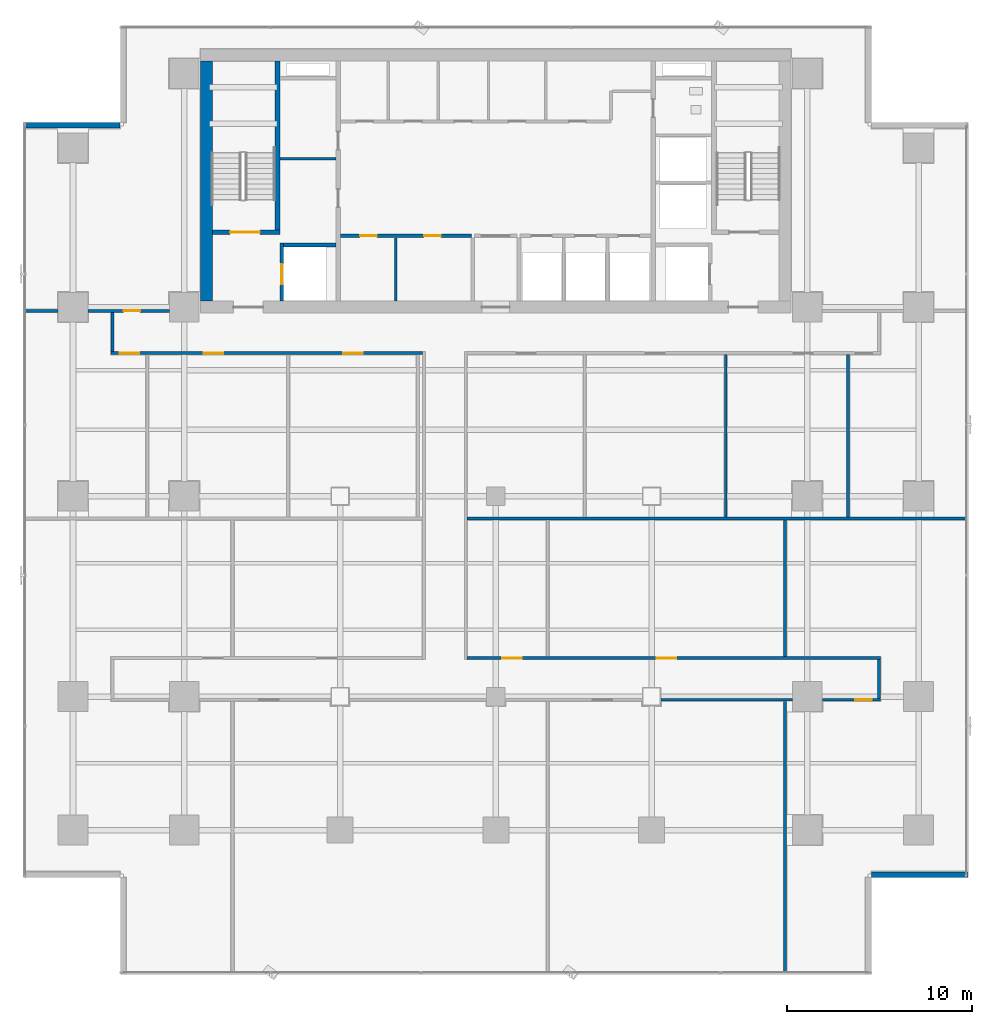
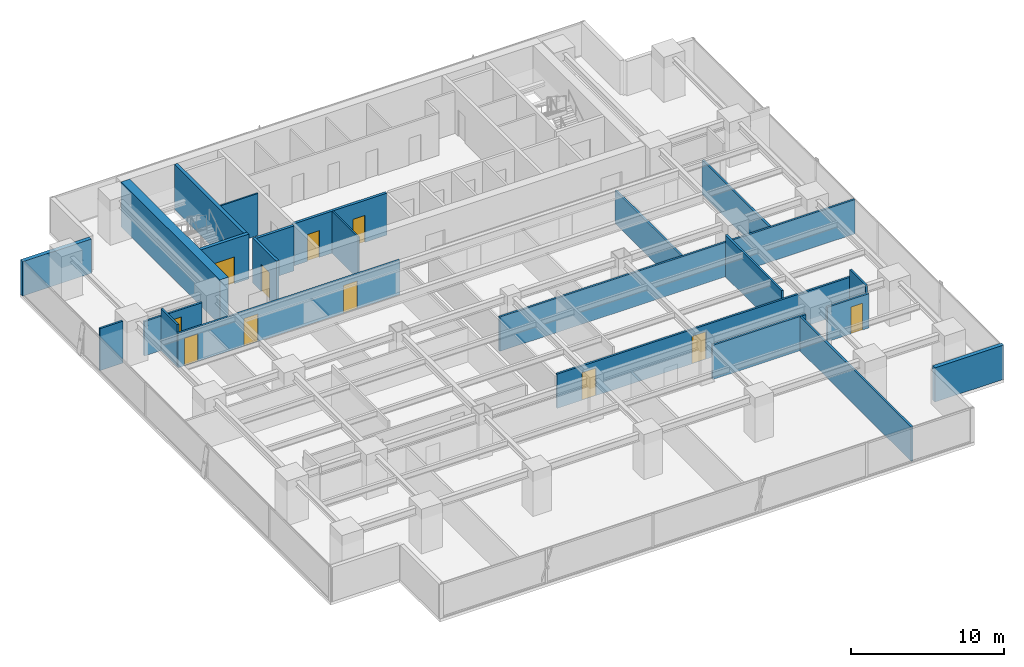
# One storey, part 28 of 36: 23 walls, 11 doors, 11 openings.
"""IFC4 building model written with IfcOpenShell, lengths in metres."""

from ifc_helpers import new_model, si_unit, direction, frame, frame_2d, origin, place, context, subcontext, project, spatial, rectangle, extrude, source, transform, mapped, material, layer, layer_set, type_object, element, fill, save


model = new_model("IFC4")

# Units and contexts
model_context = context("Model", 3, precision=1e-05, world=origin(), true_north=direction((0.0, 1.0)))
body_context = subcontext(model_context, "Body", "Model", "MODEL_VIEW")
ifc_project = project(units=[si_unit("LENGTHUNIT", "METRE"), si_unit("AREAUNIT", "SQUARE_METRE"), si_unit("VOLUMEUNIT", "CUBIC_METRE"), si_unit("PLANEANGLEUNIT", "RADIAN"), si_unit("MASSUNIT", "GRAM", prefix="KILO")], contexts=[model_context])

# Site, building, storey
site_placement = place(None, origin())
site = spatial("IfcSite", under=ifc_project, at=site_placement, CompositionType="ELEMENT")
building_placement = place(site_placement, origin())
building = spatial("IfcBuilding", under=site, at=building_placement, Name="Sumidabori Civic Tower", CompositionType="ELEMENT")
storey_placement = place(building_placement, frame((0.0, 0.0, 92.0)))
storey = spatial("IfcBuildingStorey", under=building, at=storey_placement, Name="L23", CompositionType="ELEMENT", Elevation=92.0)

# Walls
ifc_material_1 = material(Name="Concrete C50/60", Category="concrete")
ifc_layer_1 = layer(ifc_material_1, 0.199951171875, Name="Concrete C50/60")
ifc_layer_set_1 = layer_set([ifc_layer_1], Name="Concrete C50/60")
wall_type_1 = type_object("IfcWallType", Name="WL-SHAFT-200", PredefinedType="SHEAR", material=ifc_layer_set_1)
shared_shape_1 = source(origin(), body_context, "Body", "SweptSolid", [
    extrude(rectangle(XDim=2.824951171875, YDim=0.199951171875, at=frame_2d((1.41259765625, 0.0))), origin(), (0.0, 0.0, 1.0), 3.60009765625),
])
wall_1_placement = place(storey_placement, frame((-11.449951171875, 13.550048828125, 0.0), z_axis=(0.0, 0.0, 1.0), x_axis=(1.0, 0.0, 0.0)))
element("IfcWall", 1, at=wall_1_placement, inside=storey, type_object=wall_type_1, Name="Core Shear Wall L23 EL1-N", PredefinedType="SHEAR", context=body_context, shape_type="MappedRepresentation", body=[
    mapped(shared_shape_1, transform((0.0, 0.0, 0.0), x_axis=(1.0, 0.0, 0.0), y_axis=(0.0, 1.0, 0.0), z_axis=(0.0, 0.0, 1.0), scale=1.0)),
])
ifc_material_2 = material(Name="Concrete C60/75", Category="concrete")
ifc_layer_2 = layer(ifc_material_2, 0.64990234375, Name="Concrete C60/75")
ifc_layer_set_2 = layer_set([ifc_layer_2], Name="Concrete C60/75")
wall_type_2 = type_object("IfcWallType", Name="WL-CORE-650", PredefinedType="SHEAR", material=ifc_layer_set_2)
shared_shape_2 = source(origin(), body_context, "Body", "SweptSolid", [
    extrude(rectangle(XDim=12.9501953125, YDim=0.64990234375, at=frame_2d((6.47509765625, 0.0))), origin(), (0.0, 0.0, 1.0), 3.60009765625),
])
wall_2_placement = place(storey_placement, frame((-15.60009765625, 10.52490234375, 0.0), z_axis=(0.0, 0.0, 1.0), x_axis=(0.0, 1.0, 0.0)))
element("IfcWall", 2, at=wall_2_placement, inside=storey, type_object=wall_type_2, Name="Core Shear Wall L23 W", PredefinedType="SHEAR", context=body_context, shape_type="MappedRepresentation", body=[
    mapped(shared_shape_2, transform((0.0, 0.0, 0.0), x_axis=(1.0, 0.0, 0.0), y_axis=(0.0, 1.0, 0.0), z_axis=(0.0, 0.0, 1.0), scale=1.0)),
])

# Wall, opening, door
ifc_layer_3 = layer(ifc_material_1, 0.25, Name="Concrete C50/60")
ifc_layer_set_3 = layer_set([ifc_layer_3], Name="Concrete C50/60")
wall_type_3 = type_object("IfcWallType", Name="WL-SHAFT-250", PredefinedType="SHEAR", material=ifc_layer_set_3)
shared_shape_3 = source(origin(), body_context, "Body", "SweptSolid", [
    extrude(rectangle(XDim=3.6298828125, YDim=0.25, at=frame_2d((1.81494140625, 0.0))), origin(), (0.0, 0.0, 1.0), 3.60009765625),
])
wall_3_placement = place(storey_placement, frame((-15.27490234375, 14.25, 0.0), z_axis=(0.0, 0.0, 1.0), x_axis=(1.0, 0.0, 0.0)))
wall_3 = element("IfcWall", 3, at=wall_3_placement, inside=storey, type_object=wall_type_3, Name="Core Shear Wall L23 ST1-S", PredefinedType="SHEAR", context=body_context, shape_type="MappedRepresentation", body=[
    mapped(shared_shape_3, transform((0.0, 0.0, 0.0), x_axis=(1.0, 0.0, 0.0), y_axis=(0.0, 1.0, 0.0), z_axis=(0.0, 0.0, 1.0), scale=1.0)),
])
opening_1_placement = place(wall_3_placement, frame((0.949951171875, 0.0, 0.0)))
opening_1 = element("IfcOpeningElement", 4, at=opening_1_placement, cuts=wall_3, Name="Opening DR-FD4", PredefinedType="OPENING", context=body_context, shape_type="SweptSolid", body=[
    extrude(rectangle(XDim=1.60009765625, YDim=2.14990234375, at=frame_2d((0.800048828125, 1.074951171875))), frame((0.0, 0.136962890625, 0.0), z_axis=(0.0, -1.0, 0.0), x_axis=(1.0, 0.0, 0.0)), (0.0, 0.0, 1.0), 0.27392578125),
])
ifc_material_3 = material(Name="Steel SN490", Category="steel")
door_type_1 = type_object("IfcDoorType", Name="DR-FD4", OperationType="DOUBLE_DOOR_SINGLE_SWING", PredefinedType="DOOR", material=ifc_material_3)
shared_shape_4 = source(origin(), body_context, "Body", "SweptSolid", [
    extrude(rectangle(XDim=1.60009765625, YDim=2.14990234375, at=frame_2d((0.800048828125, 1.074951171875))), frame((0.0, 0.02490234375, 0.0), z_axis=(0.0, -1.0, 0.0), x_axis=(1.0, 0.0, 0.0)), (0.0, 0.0, 1.0), 0.050048828125),
])
door_1_placement = place(opening_1_placement, origin())
door_1 = element("IfcDoor", 5, at=door_1_placement, inside=storey, type_object=door_type_1, Name="Door DR:L23:ST1", OperationType="DOUBLE_DOOR_SINGLE_SWING", OverallHeight=2.14990234375, OverallWidth=1.60009765625, PredefinedType="DOOR", context=body_context, shape_type="MappedRepresentation", body=[
    mapped(shared_shape_4, transform((0.0, 0.0, 0.0), x_axis=(1.0, 0.0, 0.0), y_axis=(0.0, 1.0, 0.0), z_axis=(0.0, 0.0, 1.0), scale=1.0)),
])
fill(opening_1, door_1)

# Wall
shared_shape_5 = source(origin(), body_context, "Body", "SweptSolid", [
    extrude(rectangle(XDim=9.10009765625, YDim=0.25, at=frame_2d((4.550048828125, 0.0))), origin(), (0.0, 0.0, 1.0), 3.60009765625),
])
wall_4_placement = place(storey_placement, frame((-11.77001953125, 14.375, 0.0), z_axis=(0.0, 0.0, 1.0), x_axis=(0.0, 1.0, 0.0)))
element("IfcWall", 6, at=wall_4_placement, inside=storey, type_object=wall_type_3, Name="Core Shear Wall L23 ST1-E", PredefinedType="SHEAR", context=body_context, shape_type="MappedRepresentation", body=[
    mapped(shared_shape_5, transform((0.0, 0.0, 0.0), x_axis=(1.0, 0.0, 0.0), y_axis=(0.0, 1.0, 0.0), z_axis=(0.0, 0.0, 1.0), scale=1.0)),
])

# Wall, opening, door
shared_shape_6 = source(origin(), body_context, "Body", "SweptSolid", [
    extrude(rectangle(XDim=3.125, YDim=0.199951171875, at=frame_2d((1.5625, 0.0))), origin(), (0.0, 0.0, 1.0), 3.60009765625),
])
wall_5_placement = place(storey_placement, frame((-11.550048828125, 10.52490234375, 0.0), z_axis=(0.0, 0.0, 1.0), x_axis=(0.0, 1.0, 0.0)))
wall_5 = element("IfcWall", 7, at=wall_5_placement, inside=storey, type_object=wall_type_1, Name="Core Shear Wall L23 EL1-W", PredefinedType="SHEAR", context=body_context, shape_type="MappedRepresentation", body=[
    mapped(shared_shape_6, transform((0.0, 0.0, 0.0), x_axis=(1.0, 0.0, 0.0), y_axis=(0.0, 1.0, 0.0), z_axis=(0.0, 0.0, 1.0), scale=1.0)),
])
opening_2_placement = place(wall_5_placement, frame((0.89990234375, 0.0, 0.0)))
opening_2 = element("IfcOpeningElement", 8, at=opening_2_placement, cuts=wall_5, Name="Opening LD-2", PredefinedType="OPENING", context=body_context, shape_type="SweptSolid", body=[
    extrude(rectangle(XDim=1.10009765625, YDim=2.14990234375, at=frame_2d((0.550048828125, 1.074951171875))), frame((0.0, 0.11181640625, 0.0), z_axis=(0.0, -1.0, 0.0), x_axis=(1.0, 0.0, 0.0)), (0.0, 0.0, 1.0), 0.223876953125),
])
ifc_material_4 = material(Name="Stainless Steel Hairline Finish", Category="steel")
door_type_2 = type_object("IfcDoorType", Name="DR-LD2", OperationType="DOUBLE_DOOR_SLIDING", PredefinedType="DOOR", material=ifc_material_4)
shared_shape_7 = source(origin(), body_context, "Body", "SweptSolid", [
    extrude(rectangle(XDim=1.10009765625, YDim=2.14990234375, at=frame_2d((0.550048828125, 1.074951171875))), frame((0.0, 0.02490234375, 0.0), z_axis=(0.0, -1.0, 0.0), x_axis=(1.0, 0.0, 0.0)), (0.0, 0.0, 1.0), 0.050048828125),
])
door_2_placement = place(opening_2_placement, origin())
door_2 = element("IfcDoor", 9, at=door_2_placement, inside=storey, type_object=door_type_2, Name="Door DR:L23:LD-EL1", OperationType="DOUBLE_DOOR_SLIDING", OverallHeight=2.14990234375, OverallWidth=1.10009765625, PredefinedType="DOOR", context=body_context, shape_type="MappedRepresentation", body=[
    mapped(shared_shape_7, transform((0.0, 0.0, 0.0), x_axis=(1.0, 0.0, 0.0), y_axis=(0.0, 1.0, 0.0), z_axis=(0.0, 0.0, 1.0), scale=1.0)),
])
fill(opening_2, door_2)

# Walls
ifc_material_5 = material(Name="Precast concrete C40/50", Category="concrete")
ifc_layer_4 = layer(ifc_material_5, 0.300048828125, Name="Precast concrete C40/50")
ifc_layer_set_4 = layer_set([ifc_layer_4], Name="Precast concrete C40/50")
wall_type_4 = type_object("IfcWallType", Name="WL-EXT-POD300", PredefinedType="STANDARD", material=ifc_layer_set_4)
shared_shape_8 = source(origin(), body_context, "Body", "SweptSolid", [
    extrude(rectangle(XDim=5.2099609375, YDim=0.300048828125, at=frame_2d((2.60498046875, 0.0))), origin(), (0.0, 0.0, 1.0), 2.739990234375),
])
for number, where, z_axis, x_axis, name in (
    (10, (20.27001953125, -20.39990234375, 0.0), (0.0, 0.0, 1.0), (1.0, 0.0, 0.0), "Notched Corner Spandrel Band L23-03"),
    (11, (-20.27001953125, 20.0, 0.0), (0.0, 0.0, 1.0), (-1.0, 0.0, 0.0), "Notched Corner Spandrel Band L23-09"),
):
    element("IfcWall", number, at=place(storey_placement, frame(where, z_axis=z_axis, x_axis=x_axis)), inside=storey, type_object=wall_type_4, Name=name, PredefinedType="STANDARD", context=body_context, shape_type="MappedRepresentation", body=[
        mapped(shared_shape_8, transform((0.0, 0.0, 0.0), x_axis=(1.0, 0.0, 0.0), y_axis=(0.0, 1.0, 0.0), z_axis=(0.0, 0.0, 1.0), scale=1.0)),
    ])

# Wall, openings, doors
ifc_material_6 = material(Name="Gypsum Plasterboard Fire Partition")
ifc_layer_5 = layer(ifc_material_6, 0.199951171875, Name="Gypsum Plasterboard Fire Partition")
ifc_layer_set_5 = layer_set([ifc_layer_5], Name="Gypsum Plasterboard Fire Partition")
wall_type_5 = type_object("IfcWallType", Name="WL-PART-FIRE", PredefinedType="PARTITIONING", material=ifc_layer_set_5)
shared_shape_9 = source(origin(), body_context, "Body", "SweptSolid", [
    extrude(rectangle(XDim=7.070068359375, YDim=0.199951171875, at=frame_2d((3.53515625, 0.0))), origin(), (0.0, 0.0, 1.0), 3.360107421875),
])
wall_6_placement = place(storey_placement, frame((-8.3701171875, 14.050048828125, 0.0), z_axis=(0.0, 0.0, 1.0), x_axis=(1.0, 0.0, 0.0)))
wall_6 = element("IfcWall", 12, at=wall_6_placement, inside=storey, type_object=wall_type_5, Name="Interior Partition WL:L23:CBAND-SW", PredefinedType="PARTITIONING", context=body_context, shape_type="MappedRepresentation", body=[
    mapped(shared_shape_9, transform((0.0, 0.0, 0.0), x_axis=(1.0, 0.0, 0.0), y_axis=(0.0, 1.0, 0.0), z_axis=(0.0, 0.0, 1.0), scale=1.0)),
])
opening_3_placement = place(wall_6_placement, frame((1.06005859375, 0.0, 0.0)))
opening_3 = element("IfcOpeningElement", 13, at=opening_3_placement, cuts=wall_6, Name="Opening DR-1", PredefinedType="OPENING", context=body_context, shape_type="SweptSolid", body=[
    extrude(rectangle(XDim=0.89990234375, YDim=2.14990234375, at=frame_2d((0.449951171875, 1.074951171875))), frame((0.0, 0.11181640625, 0.0), z_axis=(0.0, -1.0, 0.0), x_axis=(1.0, 0.0, 0.0)), (0.0, 0.0, 1.0), 0.223876953125),
])
opening_4_placement = place(wall_6_placement, frame((4.510009765625, 0.0, 0.0)))
opening_4 = element("IfcOpeningElement", 14, at=opening_4_placement, cuts=wall_6, Name="Opening DR-1", PredefinedType="OPENING", context=body_context, shape_type="SweptSolid", body=[
    extrude(rectangle(XDim=0.89990234375, YDim=2.14990234375, at=frame_2d((0.449951171875, 1.074951171875))), frame((0.0, 0.11181640625, 0.0), z_axis=(0.0, -1.0, 0.0), x_axis=(1.0, 0.0, 0.0)), (0.0, 0.0, 1.0), 0.223876953125),
])
ifc_material_7 = material(Name="Japanese Hinoki Timber", Category="wood")
door_type_3 = type_object("IfcDoorType", Name="DR-INT-900", OperationType="NOTDEFINED", PredefinedType="DOOR", material=ifc_material_7)
shared_shape_10 = source(origin(), body_context, "Body", "SweptSolid", [
    extrude(rectangle(XDim=0.89990234375, YDim=2.14990234375, at=frame_2d((0.449951171875, 1.074951171875))), frame((0.0, 0.02490234375, 0.0), z_axis=(0.0, -1.0, 0.0), x_axis=(1.0, 0.0, 0.0)), (0.0, 0.0, 1.0), 0.050048828125),
])
door_3_placement = place(opening_3_placement, origin())
door_3 = element("IfcDoor", 15, at=door_3_placement, inside=storey, type_object=door_type_3, Name="Door DR:L23:REC-B1A", OperationType="SINGLE_SWING_LEFT", OverallHeight=2.14990234375, OverallWidth=0.89990234375, PredefinedType="DOOR", context=body_context, shape_type="MappedRepresentation", body=[
    mapped(shared_shape_10, transform((0.0, 0.0, 0.0), x_axis=(1.0, 0.0, 0.0), y_axis=(0.0, 1.0, 0.0), z_axis=(0.0, 0.0, 1.0), scale=1.0)),
])
fill(opening_3, door_3)
door_4_placement = place(opening_4_placement, origin())
door_4 = element("IfcDoor", 16, at=door_4_placement, inside=storey, type_object=door_type_3, Name="Door DR:L23:REC-B1B", OperationType="SINGLE_SWING_RIGHT", OverallHeight=2.14990234375, OverallWidth=0.89990234375, PredefinedType="DOOR", context=body_context, shape_type="MappedRepresentation", body=[
    mapped(shared_shape_10, transform((0.0, 0.0, 0.0), x_axis=(1.0, 0.0, 0.0), y_axis=(0.0, 1.0, 0.0), z_axis=(0.0, 0.0, 1.0), scale=1.0)),
])
fill(opening_4, door_4)

# Walls
ifc_material_8 = material(Name="Gypsum Plasterboard Acoustic Partition")
ifc_layer_6 = layer(ifc_material_8, 0.1201171875, Name="Gypsum Plasterboard Acoustic Partition")
ifc_layer_set_6 = layer_set([ifc_layer_6], Name="Gypsum Plasterboard Acoustic Partition")
wall_type_6 = type_object("IfcWallType", Name="WL-PART-120", PredefinedType="PARTITIONING", material=ifc_layer_set_6)
shared_shape_11 = source(origin(), body_context, "Body", "SweptSolid", [
    extrude(rectangle(XDim=3.010009765625, YDim=0.1201171875, at=frame_2d((1.5048828125, 0.0))), origin(), (0.0, 0.0, 1.0), 3.360107421875),
])
wall_7_placement = place(storey_placement, frame((-11.639892578125, 18.199951171875, 0.0), z_axis=(0.0, 0.0, 1.0), x_axis=(1.0, 0.0, 0.0)))
element("IfcWall", 17, at=wall_7_placement, inside=storey, type_object=wall_type_6, Name="Interior Partition WL:L23:CW-MID", PredefinedType="PARTITIONING", context=body_context, shape_type="MappedRepresentation", body=[
    mapped(shared_shape_11, transform((0.0, 0.0, 0.0), x_axis=(1.0, 0.0, 0.0), y_axis=(0.0, 1.0, 0.0), z_axis=(0.0, 0.0, 1.0), scale=1.0)),
])
shared_shape_12 = source(origin(), body_context, "Body", "SweptSolid", [
    extrude(rectangle(XDim=3.4150390625, YDim=0.1201171875, at=frame_2d((1.70751953125, 0.0))), origin(), (0.0, 0.0, 1.0), 3.360107421875),
])
wall_8_placement = place(storey_placement, frame((-5.39990234375, 10.52490234375, 0.0), z_axis=(0.0, 0.0, 1.0), x_axis=(0.0, 1.0, 0.0)))
element("IfcWall", 18, at=wall_8_placement, inside=storey, type_object=wall_type_6, Name="Interior Partition WL:L23:REC-B1-SP", PredefinedType="PARTITIONING", context=body_context, shape_type="MappedRepresentation", body=[
    mapped(shared_shape_12, transform((0.0, 0.0, 0.0), x_axis=(1.0, 0.0, 0.0), y_axis=(0.0, 1.0, 0.0), z_axis=(0.0, 0.0, 1.0), scale=1.0)),
])
ifc_layer_7 = layer(ifc_material_8, 0.14990234375, Name="Gypsum Plasterboard Acoustic Partition")
ifc_layer_set_7 = layer_set([ifc_layer_7], Name="Gypsum Plasterboard Acoustic Partition")
wall_type_7 = type_object("IfcWallType", Name="WL-PART-150", PredefinedType="PARTITIONING", material=ifc_layer_set_7)
shared_shape_13 = source(origin(), body_context, "Body", "SweptSolid", [
    extrude(rectangle(XDim=1.739990234375, YDim=0.14990234375, at=frame_2d((0.8701171875, 0.0))), origin(), (0.0, 0.0, 1.0), 3.360107421875),
])
wall_9_placement = place(storey_placement, frame((-25.35009765625, 10.0, 0.0), z_axis=(0.0, 0.0, 1.0), x_axis=(1.0, 0.0, 0.0)))
element("IfcWall", 19, at=wall_9_placement, inside=storey, type_object=wall_type_7, Name="Interior Partition WL:L23:FLK-NW-1", PredefinedType="PARTITIONING", context=body_context, shape_type="MappedRepresentation", body=[
    mapped(shared_shape_13, transform((0.0, 0.0, 0.0), x_axis=(1.0, 0.0, 0.0), y_axis=(0.0, 1.0, 0.0), z_axis=(0.0, 0.0, 1.0), scale=1.0)),
])

# Wall, opening, door
shared_shape_14 = source(origin(), body_context, "Body", "SweptSolid", [
    extrude(rectangle(XDim=4.3798828125, YDim=0.14990234375, at=frame_2d((2.18994140625, 0.0))), origin(), (0.0, 0.0, 1.0), 2.7451171875),
])
wall_10_placement = place(storey_placement, frame((-21.989990234375, 10.0, 0.0), z_axis=(0.0, 0.0, 1.0), x_axis=(1.0, 0.0, 0.0)))
wall_10 = element("IfcWall", 20, at=wall_10_placement, inside=storey, type_object=wall_type_7, Name="Interior Partition WL:L23:FLK-NW-2", PredefinedType="PARTITIONING", context=body_context, shape_type="MappedRepresentation", body=[
    mapped(shared_shape_14, transform((0.0, 0.0, 0.0), x_axis=(1.0, 0.0, 0.0), y_axis=(0.0, 1.0, 0.0), z_axis=(0.0, 0.0, 1.0), scale=1.0)),
])
opening_5_placement = place(wall_10_placement, frame((1.9150390625, 0.0, 0.0)))
opening_5 = element("IfcOpeningElement", 21, at=opening_5_placement, cuts=wall_10, Name="Opening DR-1", PredefinedType="OPENING", context=body_context, shape_type="SweptSolid", body=[
    extrude(rectangle(XDim=0.89990234375, YDim=2.14990234375, at=frame_2d((0.449951171875, 1.074951171875))), frame((0.0, 0.0869140625, 0.0), z_axis=(0.0, -1.0, 0.0), x_axis=(1.0, 0.0, 0.0)), (0.0, 0.0, 1.0), 0.173828125),
])
door_5_placement = place(opening_5_placement, origin())
door_5 = element("IfcDoor", 22, at=door_5_placement, inside=storey, type_object=door_type_3, Name="Door DR:L23:FLK-NE", OperationType="SINGLE_SWING_LEFT", OverallHeight=2.14990234375, OverallWidth=0.89990234375, PredefinedType="DOOR", context=body_context, shape_type="MappedRepresentation", body=[
    mapped(shared_shape_10, transform((0.0, 0.0, 0.0), x_axis=(1.0, 0.0, 0.0), y_axis=(0.0, 1.0, 0.0), z_axis=(0.0, 0.0, 1.0), scale=1.0)),
])
fill(opening_5, door_5)

# Wall, openings, doors
shared_shape_15 = source(origin(), body_context, "Body", "SweptSolid", [
    extrude(rectangle(XDim=16.800048828125, YDim=0.14990234375, at=frame_2d((8.39990234375, 0.0))), origin(), (0.0, 0.0, 1.0), 2.7451171875),
])
wall_11_placement = place(storey_placement, frame((-20.75, 7.72509765625, 0.0), z_axis=(0.0, 0.0, 1.0), x_axis=(1.0, 0.0, 0.0)))
wall_11 = element("IfcWall", 23, at=wall_11_placement, inside=storey, type_object=wall_type_7, Name="Interior Partition WL:L23:CORR-SW", PredefinedType="PARTITIONING", context=body_context, shape_type="MappedRepresentation", body=[
    mapped(shared_shape_15, transform((0.0, 0.0, 0.0), x_axis=(1.0, 0.0, 0.0), y_axis=(0.0, 1.0, 0.0), z_axis=(0.0, 0.0, 1.0), scale=1.0)),
])
opening_6_placement = place(wall_11_placement, frame((0.4775390625, 0.0, 0.0)))
opening_6 = element("IfcOpeningElement", 24, at=opening_6_placement, cuts=wall_11, Name="Opening DR-4", PredefinedType="OPENING", context=body_context, shape_type="SweptSolid", body=[
    extrude(rectangle(XDim=1.0400390625, YDim=2.199951171875, at=frame_2d((0.52001953125, 1.10009765625))), frame((0.0, 0.0869140625, 0.0), z_axis=(0.0, -1.0, 0.0), x_axis=(1.0, 0.0, 0.0)), (0.0, 0.0, 1.0), 0.173828125),
])
opening_7_placement = place(wall_11_placement, frame((5.010009765625, 0.0, 0.0)))
opening_7 = element("IfcOpeningElement", 25, at=opening_7_placement, cuts=wall_11, Name="Opening DR-4", PredefinedType="OPENING", context=body_context, shape_type="SweptSolid", body=[
    extrude(rectangle(XDim=1.0400390625, YDim=2.199951171875, at=frame_2d((0.52001953125, 1.10009765625))), frame((0.0, 0.0869140625, 0.0), z_axis=(0.0, -1.0, 0.0), x_axis=(1.0, 0.0, 0.0)), (0.0, 0.0, 1.0), 0.173828125),
])
opening_8_placement = place(wall_11_placement, frame((12.530029296875, 0.0, 0.0)))
opening_8 = element("IfcOpeningElement", 26, at=opening_8_placement, cuts=wall_11, Name="Opening DR-4", PredefinedType="OPENING", context=body_context, shape_type="SweptSolid", body=[
    extrude(rectangle(XDim=1.0400390625, YDim=2.199951171875, at=frame_2d((0.52001953125, 1.10009765625))), frame((0.0, 0.0869140625, 0.0), z_axis=(0.0, -1.0, 0.0), x_axis=(1.0, 0.0, 0.0)), (0.0, 0.0, 1.0), 0.173828125),
])
door_type_4 = type_object("IfcDoorType", Name="DR-INT-1040", OperationType="NOTDEFINED", PredefinedType="DOOR", material=ifc_material_7)
shared_shape_16 = source(origin(), body_context, "Body", "SweptSolid", [
    extrude(rectangle(XDim=1.0400390625, YDim=2.199951171875, at=frame_2d((0.52001953125, 1.10009765625))), frame((0.0, 0.02490234375, 0.0), z_axis=(0.0, -1.0, 0.0), x_axis=(1.0, 0.0, 0.0)), (0.0, 0.0, 1.0), 0.050048828125),
])
door_6_placement = place(opening_6_placement, origin())
door_6 = element("IfcDoor", 27, at=door_6_placement, inside=storey, type_object=door_type_4, Name="Door DR:L23:D02", OperationType="SINGLE_SWING_RIGHT", OverallHeight=2.199951171875, OverallWidth=1.0400390625, PredefinedType="DOOR", context=body_context, shape_type="MappedRepresentation", body=[
    mapped(shared_shape_16, transform((0.0, 0.0, 0.0), x_axis=(1.0, 0.0, 0.0), y_axis=(0.0, 1.0, 0.0), z_axis=(0.0, 0.0, 1.0), scale=1.0)),
])
fill(opening_6, door_6)
door_7_placement = place(opening_7_placement, origin())
door_7 = element("IfcDoor", 28, at=door_7_placement, inside=storey, type_object=door_type_4, Name="Door DR:L23:D05", OperationType="SINGLE_SWING_LEFT", OverallHeight=2.199951171875, OverallWidth=1.0400390625, PredefinedType="DOOR", context=body_context, shape_type="MappedRepresentation", body=[
    mapped(shared_shape_16, transform((0.0, 0.0, 0.0), x_axis=(1.0, 0.0, 0.0), y_axis=(0.0, 1.0, 0.0), z_axis=(0.0, 0.0, 1.0), scale=1.0)),
])
fill(opening_7, door_7)
door_8_placement = place(opening_8_placement, origin())
door_8 = element("IfcDoor", 29, at=door_8_placement, inside=storey, type_object=door_type_4, Name="Door DR:L23:D06", OperationType="SINGLE_SWING_RIGHT", OverallHeight=2.199951171875, OverallWidth=1.0400390625, PredefinedType="DOOR", context=body_context, shape_type="MappedRepresentation", body=[
    mapped(shared_shape_16, transform((0.0, 0.0, 0.0), x_axis=(1.0, 0.0, 0.0), y_axis=(0.0, 1.0, 0.0), z_axis=(0.0, 0.0, 1.0), scale=1.0)),
])
fill(opening_8, door_8)

shared_shape_17 = source(origin(), body_context, "Body", "SweptSolid", [
    extrude(rectangle(XDim=22.300048828125, YDim=0.14990234375, at=frame_2d((11.14990234375, 0.0))), origin(), (0.0, 0.0, 1.0), 2.7451171875),
])
wall_12_placement = place(storey_placement, frame((-1.550048828125, -8.72509765625, 0.0), z_axis=(0.0, 0.0, 1.0), x_axis=(1.0, 0.0, 0.0)))
wall_12 = element("IfcWall", 30, at=wall_12_placement, inside=storey, type_object=wall_type_7, Name="Interior Partition WL:L23:CORR-MNE", PredefinedType="PARTITIONING", context=body_context, shape_type="MappedRepresentation", body=[
    mapped(shared_shape_17, transform((0.0, 0.0, 0.0), x_axis=(1.0, 0.0, 0.0), y_axis=(0.0, 1.0, 0.0), z_axis=(0.0, 0.0, 1.0), scale=1.0)),
])
opening_9_placement = place(wall_12_placement, frame((1.8974609375, 0.0, 0.0)))
opening_9 = element("IfcOpeningElement", 31, at=opening_9_placement, cuts=wall_12, Name="Opening DR-4", PredefinedType="OPENING", context=body_context, shape_type="SweptSolid", body=[
    extrude(rectangle(XDim=1.0400390625, YDim=2.199951171875, at=frame_2d((0.52001953125, 1.10009765625))), frame((0.0, 0.0869140625, 0.0), z_axis=(0.0, -1.0, 0.0), x_axis=(1.0, 0.0, 0.0)), (0.0, 0.0, 1.0), 0.173828125),
])
opening_10_placement = place(wall_12_placement, frame((10.22998046875, 0.0, 0.0)))
opening_10 = element("IfcOpeningElement", 32, at=opening_10_placement, cuts=wall_12, Name="Opening DR-4", PredefinedType="OPENING", context=body_context, shape_type="SweptSolid", body=[
    extrude(rectangle(XDim=1.0400390625, YDim=2.199951171875, at=frame_2d((0.52001953125, 1.10009765625))), frame((0.0, 0.0869140625, 0.0), z_axis=(0.0, -1.0, 0.0), x_axis=(1.0, 0.0, 0.0)), (0.0, 0.0, 1.0), 0.173828125),
])
door_9_placement = place(opening_9_placement, origin())
door_9 = element("IfcDoor", 33, at=door_9_placement, inside=storey, type_object=door_type_4, Name="Door DR:L23:D10", OperationType="SINGLE_SWING_RIGHT", OverallHeight=2.199951171875, OverallWidth=1.0400390625, PredefinedType="DOOR", context=body_context, shape_type="MappedRepresentation", body=[
    mapped(shared_shape_16, transform((0.0, 0.0, 0.0), x_axis=(1.0, 0.0, 0.0), y_axis=(0.0, 1.0, 0.0), z_axis=(0.0, 0.0, 1.0), scale=1.0)),
])
fill(opening_9, door_9)
door_10_placement = place(opening_10_placement, origin())
door_10 = element("IfcDoor", 34, at=door_10_placement, inside=storey, type_object=door_type_4, Name="Door DR:L23:D11", OperationType="SINGLE_SWING_LEFT", OverallHeight=2.199951171875, OverallWidth=1.0400390625, PredefinedType="DOOR", context=body_context, shape_type="MappedRepresentation", body=[
    mapped(shared_shape_16, transform((0.0, 0.0, 0.0), x_axis=(1.0, 0.0, 0.0), y_axis=(0.0, 1.0, 0.0), z_axis=(0.0, 0.0, 1.0), scale=1.0)),
])
fill(opening_10, door_10)

# Wall, opening, door
shared_shape_18 = source(origin(), body_context, "Body", "SweptSolid", [
    extrude(rectangle(XDim=3.139892578125, YDim=0.14990234375, at=frame_2d((1.56982421875, 0.0))), origin(), (0.0, 0.0, 1.0), 2.7451171875),
])
wall_13_placement = place(storey_placement, frame((17.610107421875, -10.97509765625, 0.0), z_axis=(0.0, 0.0, 1.0), x_axis=(1.0, 0.0, 0.0)))
wall_13 = element("IfcWall", 35, at=wall_13_placement, inside=storey, type_object=wall_type_7, Name="Interior Partition WL:L23:CORR-SS-6", PredefinedType="PARTITIONING", context=body_context, shape_type="MappedRepresentation", body=[
    mapped(shared_shape_18, transform((0.0, 0.0, 0.0), x_axis=(1.0, 0.0, 0.0), y_axis=(0.0, 1.0, 0.0), z_axis=(0.0, 0.0, 1.0), scale=1.0)),
])
opening_11_placement = place(wall_13_placement, frame((1.780029296875, 0.0, 0.0)))
opening_11 = element("IfcOpeningElement", 36, at=opening_11_placement, cuts=wall_13, Name="Opening DR-1", PredefinedType="OPENING", context=body_context, shape_type="SweptSolid", body=[
    extrude(rectangle(XDim=0.89990234375, YDim=2.14990234375, at=frame_2d((0.449951171875, 1.074951171875))), frame((0.0, 0.0869140625, 0.0), z_axis=(0.0, -1.0, 0.0), x_axis=(1.0, 0.0, 0.0)), (0.0, 0.0, 1.0), 0.173828125),
])
door_11_placement = place(opening_11_placement, origin())
door_11 = element("IfcDoor", 37, at=door_11_placement, inside=storey, type_object=door_type_3, Name="Door DR:L23:D12", OperationType="SINGLE_SWING_RIGHT", OverallHeight=2.14990234375, OverallWidth=0.89990234375, PredefinedType="DOOR", context=body_context, shape_type="MappedRepresentation", body=[
    mapped(shared_shape_10, transform((0.0, 0.0, 0.0), x_axis=(1.0, 0.0, 0.0), y_axis=(0.0, 1.0, 0.0), z_axis=(0.0, 0.0, 1.0), scale=1.0)),
])
fill(opening_11, door_11)

# Walls
shared_shape_19 = source(origin(), body_context, "Body", "SweptSolid", [
    extrude(rectangle(XDim=7.080078125, YDim=0.14990234375, at=frame_2d((3.5400390625, 0.0))), origin(), (0.0, 0.0, 1.0), 2.7451171875),
])
wall_14_placement = place(storey_placement, frame((8.909912109375, -10.97509765625, 0.0), z_axis=(0.0, 0.0, 1.0), x_axis=(1.0, 0.0, 0.0)))
element("IfcWall", 38, at=wall_14_placement, inside=storey, type_object=wall_type_7, Name="Interior Partition WL:L23:CORR-SS-5", PredefinedType="PARTITIONING", context=body_context, shape_type="MappedRepresentation", body=[
    mapped(shared_shape_19, transform((0.0, 0.0, 0.0), x_axis=(1.0, 0.0, 0.0), y_axis=(0.0, 1.0, 0.0), z_axis=(0.0, 0.0, 1.0), scale=1.0)),
])
shared_shape_20 = source(origin(), body_context, "Body", "SweptSolid", [
    extrude(rectangle(XDim=2.114990234375, YDim=0.14990234375, at=frame_2d((1.0576171875, 0.0))), origin(), (0.0, 0.0, 1.0), 3.360107421875),
])
wall_15_placement = place(storey_placement, frame((-20.675048828125, 7.804931640625, 0.0), z_axis=(0.0, 0.0, 1.0), x_axis=(0.0, 1.0, 0.0)))
element("IfcWall", 39, at=wall_15_placement, inside=storey, type_object=wall_type_7, Name="Interior Partition WL:L23:CORR-VNW", PredefinedType="PARTITIONING", context=body_context, shape_type="MappedRepresentation", body=[
    mapped(shared_shape_20, transform((0.0, 0.0, 0.0), x_axis=(1.0, 0.0, 0.0), y_axis=(0.0, 1.0, 0.0), z_axis=(0.0, 0.0, 1.0), scale=1.0)),
])
shared_shape_21 = source(origin(), body_context, "Body", "SweptSolid", [
    extrude(rectangle(XDim=2.090087890625, YDim=0.14990234375, at=frame_2d((1.044921875, 0.0))), origin(), (0.0, 0.0, 1.0), 3.360107421875),
])
wall_16_placement = place(storey_placement, frame((20.675048828125, -10.89501953125, 0.0), z_axis=(0.0, 0.0, 1.0), x_axis=(0.0, 1.0, 0.0)))
element("IfcWall", 40, at=wall_16_placement, inside=storey, type_object=wall_type_7, Name="Interior Partition WL:L23:CORR-VSE", PredefinedType="PARTITIONING", context=body_context, shape_type="MappedRepresentation", body=[
    mapped(shared_shape_21, transform((0.0, 0.0, 0.0), x_axis=(1.0, 0.0, 0.0), y_axis=(0.0, 1.0, 0.0), z_axis=(0.0, 0.0, 1.0), scale=1.0)),
])
shared_shape_22 = source(origin(), body_context, "Body", "SweptSolid", [
    extrude(rectangle(XDim=26.89501953125, YDim=0.14990234375, at=frame_2d((13.447509765625, 0.0))), origin(), (0.0, 0.0, 1.0), 2.7451171875),
])
wall_17_placement = place(storey_placement, frame((-1.544921875, -1.199951171875, 0.0), z_axis=(0.0, 0.0, 1.0), x_axis=(1.0, 0.0, 0.0)))
element("IfcWall", 41, at=wall_17_placement, inside=storey, type_object=wall_type_7, Name="Interior Partition WL:L23:BAND-Y-2", PredefinedType="PARTITIONING", context=body_context, shape_type="MappedRepresentation", body=[
    mapped(shared_shape_22, transform((0.0, 0.0, 0.0), x_axis=(1.0, 0.0, 0.0), y_axis=(0.0, 1.0, 0.0), z_axis=(0.0, 0.0, 1.0), scale=1.0)),
])
shared_shape_23 = source(origin(), body_context, "Body", "SweptSolid", [
    extrude(rectangle(XDim=8.76513671875, YDim=0.14990234375, at=frame_2d((4.382568359375, 0.0))), origin(), (0.0, 0.0, 1.0), 2.7451171875),
])
wall_18_placement = place(storey_placement, frame((19.0, -1.1201171875, 0.0), z_axis=(0.0, 0.0, 1.0), x_axis=(0.0, 1.0, 0.0)))
element("IfcWall", 42, at=wall_18_placement, inside=storey, type_object=wall_type_7, Name="Interior Partition WL:L23:VX-N6", PredefinedType="PARTITIONING", context=body_context, shape_type="MappedRepresentation", body=[
    mapped(shared_shape_23, transform((0.0, 0.0, 0.0), x_axis=(1.0, 0.0, 0.0), y_axis=(0.0, 1.0, 0.0), z_axis=(0.0, 0.0, 1.0), scale=1.0)),
])
shared_shape_24 = source(origin(), body_context, "Body", "SweptSolid", [
    extrude(rectangle(XDim=8.76513671875, YDim=0.14990234375, at=frame_2d((4.382568359375, 0.0))), origin(), (0.0, 0.0, 1.0), 2.64501953125),
])
wall_19_placement = place(storey_placement, frame((12.39990234375, -1.1201171875, 0.0), z_axis=(0.0, 0.0, 1.0), x_axis=(0.0, 1.0, 0.0)))
element("IfcWall", 43, at=wall_19_placement, inside=storey, type_object=wall_type_7, Name="Interior Partition WL:L23:VX-N5", PredefinedType="PARTITIONING", context=body_context, shape_type="MappedRepresentation", body=[
    mapped(shared_shape_24, transform((0.0, 0.0, 0.0), x_axis=(1.0, 0.0, 0.0), y_axis=(0.0, 1.0, 0.0), z_axis=(0.0, 0.0, 1.0), scale=1.0)),
])
shared_shape_25 = source(origin(), body_context, "Body", "SweptSolid", [
    extrude(rectangle(XDim=14.594970703125, YDim=0.14990234375, at=frame_2d((7.29736328125, 0.0))), origin(), (0.0, 0.0, 1.0), 2.7451171875),
])
wall_20_placement = place(storey_placement, frame((15.60009765625, -25.64990234375, 0.0), z_axis=(0.0, 0.0, 1.0), x_axis=(0.0, 1.0, 0.0)))
element("IfcWall", 44, at=wall_20_placement, inside=storey, type_object=wall_type_7, Name="Interior Partition WL:L23:VX-S3-1", PredefinedType="PARTITIONING", context=body_context, shape_type="MappedRepresentation", body=[
    mapped(shared_shape_25, transform((0.0, 0.0, 0.0), x_axis=(1.0, 0.0, 0.0), y_axis=(0.0, 1.0, 0.0), z_axis=(0.0, 0.0, 1.0), scale=1.0)),
])
shared_shape_26 = source(origin(), body_context, "Body", "SweptSolid", [
    extrude(rectangle(XDim=7.364990234375, YDim=0.14990234375, at=frame_2d((3.6826171875, 0.0))), origin(), (0.0, 0.0, 1.0), 3.360107421875),
])
wall_21_placement = place(storey_placement, frame((15.60009765625, -8.64501953125, 0.0), z_axis=(0.0, 0.0, 1.0), x_axis=(0.0, 1.0, 0.0)))
element("IfcWall", 45, at=wall_21_placement, inside=storey, type_object=wall_type_7, Name="Interior Partition WL:L23:VX-S3-2", PredefinedType="PARTITIONING", context=body_context, shape_type="MappedRepresentation", body=[
    mapped(shared_shape_26, transform((0.0, 0.0, 0.0), x_axis=(1.0, 0.0, 0.0), y_axis=(0.0, 1.0, 0.0), z_axis=(0.0, 0.0, 1.0), scale=1.0)),
])

save(model, "model.ifc")
